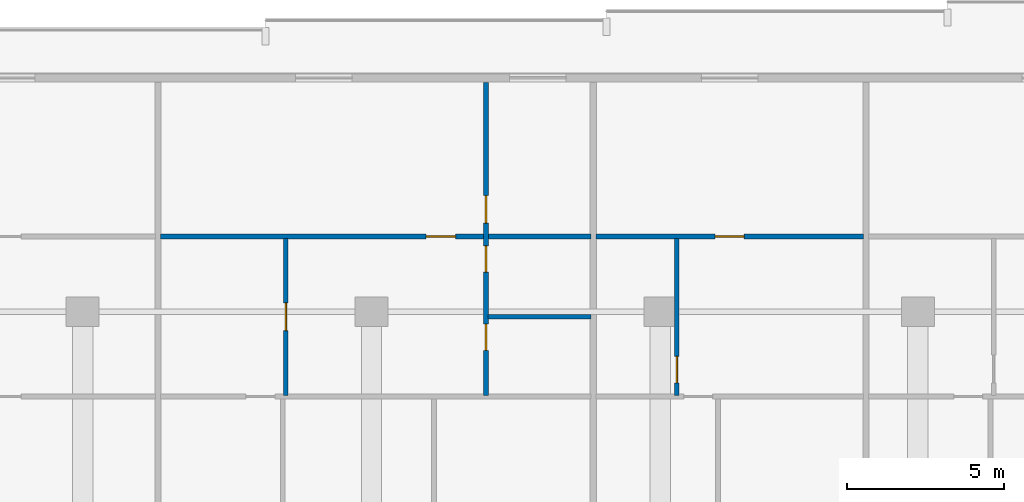
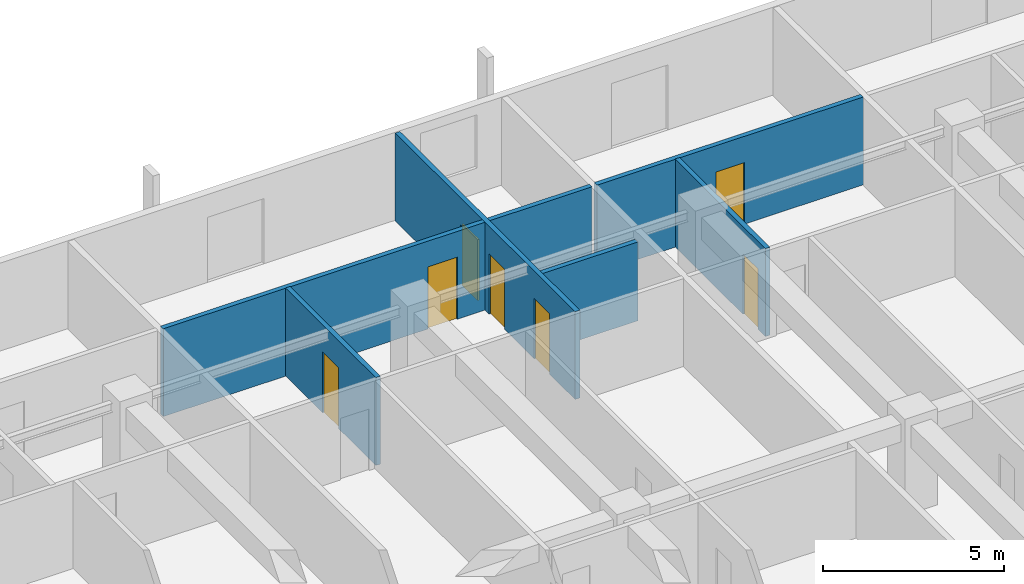
# One storey, part 16 of 24: 7 doors, 6 walls, 7 openings.
"""IFC4 building model written with IfcOpenShell, lengths in metres."""

from ifc_helpers import new_model, si_unit, direction, frame, frame_2d, origin, place, context, subcontext, project, spatial, rectangle, extrude, material, layer, layer_set, type_object, element, fill, save


model = new_model("IFC4")

# Units and contexts
model_context = context("Model", 3, precision=1e-05, world=origin(), true_north=direction((0.0, 1.0)))
body_context = subcontext(model_context, "Body", "Model", "MODEL_VIEW")
ifc_project = project(units=[si_unit("LENGTHUNIT", "METRE"), si_unit("AREAUNIT", "SQUARE_METRE"), si_unit("VOLUMEUNIT", "CUBIC_METRE"), si_unit("PLANEANGLEUNIT", "RADIAN"), si_unit("MASSUNIT", "GRAM", prefix="KILO")], contexts=[model_context])

# Site, building, storey
site_placement = place(None, origin())
site = spatial("IfcSite", under=ifc_project, at=site_placement, CompositionType="ELEMENT")
building_placement = place(site_placement, origin())
building = spatial("IfcBuilding", under=site, at=building_placement, Name="Korimba Cascade Residences", CompositionType="ELEMENT")
storey_placement = place(building_placement, frame((0.0, 0.0, 63.0)))
storey = spatial("IfcBuildingStorey", under=building, at=storey_placement, Name="L17", CompositionType="ELEMENT", Elevation=63.0)

# Wall, opening, door
ifc_material_1 = material(Name="Insulated Acoustic Stud Partition", Category="gypsum")
ifc_layer = layer(ifc_material_1, 0.14990234375)
ifc_layer_set = layer_set([ifc_layer], Name="Insulated Acoustic Stud Partition")
wall_type = type_object("IfcWallType", Name="WAL-PART-150", PredefinedType="PARTITIONING", material=ifc_layer_set)
wall_1_placement = place(storey_placement, frame((100.173095703125, 88.5400390625, 0.0), z_axis=(0.0, 0.0, 1.0), x_axis=(0.0, 1.0, 0.0)))
wall_1 = element("IfcWall", 1, at=wall_1_placement, inside=storey, type_object=wall_type, Name="L17 Partition Wall WAL-L17-T1-U04-VDIN", PredefinedType="PARTITIONING", context=body_context, shape_type="SweptSolid", body=[
    extrude(rectangle(XDim=5.0, YDim=0.14990234375, at=frame_2d((2.5, 0.0))), origin(), (0.0, 0.0, 1.0), 2.969970703125),
])
opening_1_placement = place(wall_1_placement, frame((2.06005859375, 0.0, 0.0)))
opening_1 = element("IfcOpeningElement", 2, at=opening_1_placement, cuts=wall_1, Name="Opening D-IN2", PredefinedType="OPENING", context=body_context, shape_type="SweptSolid", body=[
    extrude(rectangle(XDim=0.8798828125, YDim=2.06005859375, at=frame_2d((0.43994140625, 1.030029296875))), frame((0.0, 0.0849609375, 0.0), z_axis=(0.0, -1.0, 0.0), x_axis=(1.0, 0.0, 0.0)), (0.0, 0.0, 1.0), 0.169921875),
])
ifc_material_2 = material(Name="Acoustic Timber Bedroom Door", Category="wood")
door_type_1 = type_object("IfcDoorType", Name="DR-INT-880", OperationType="NOTDEFINED", PredefinedType="DOOR", material=ifc_material_2)
door_1_placement = place(opening_1_placement, origin())
door_1 = element("IfcDoor", 3, at=door_1_placement, inside=storey, type_object=door_type_1, Name="L17-T1-U04 Dining Room Door", OperationType="SINGLE_SWING_RIGHT", OverallHeight=2.06005859375, OverallWidth=0.8798828125, PredefinedType="DOOR", context=body_context, shape_type="SweptSolid", body=[
    extrude(rectangle(XDim=0.8798828125, YDim=2.06005859375, at=frame_2d((0.43994140625, 1.030029296875))), frame((0.0, 0.02490234375, 0.0), z_axis=(0.0, -1.0, 0.0), x_axis=(1.0, 0.0, 0.0)), (0.0, 0.0, 1.0), 0.050048828125),
])
fill(opening_1, door_1)

# Wall
wall_2_placement = place(storey_placement, frame((106.60546875, 91.0400390625, 0.0), z_axis=(0.0, 0.0, 1.0), x_axis=(1.0, 0.0, 0.0)))
element("IfcWall", 4, at=wall_2_placement, inside=storey, type_object=wall_type, Name="L17 Partition Wall WAL-L17-T1-U04-BLDIV", PredefinedType="PARTITIONING", context=body_context, shape_type="SweptSolid", body=[
    extrude(rectangle(XDim=3.280029296875, YDim=0.14990234375, at=frame_2d((1.64013671875, 0.0))), origin(), (0.0, 0.0, 1.0), 2.663330078125),
])

# Wall, openings, doors
wall_3_placement = place(storey_placement, frame((106.54541015625, 88.5400390625, 0.0), z_axis=(0.0, 0.0, 1.0), x_axis=(0.0, 1.0, 0.0)))
wall_3 = element("IfcWall", 5, at=wall_3_placement, inside=storey, type_object=wall_type, Name="L17 Partition Wall WAL-L17-T1-U04-V1", PredefinedType="PARTITIONING", context=body_context, shape_type="SweptSolid", body=[
    extrude(rectangle(XDim=9.9599609375, YDim=0.14990234375, at=frame_2d((4.97998046875, 0.0))), origin(), (0.0, 0.0, 1.0), 2.969970703125),
])
opening_2_placement = place(wall_3_placement, frame((1.430419921875, 0.0, 0.0)))
opening_2 = element("IfcOpeningElement", 6, at=opening_2_placement, cuts=wall_3, Name="Opening D-BT1", PredefinedType="OPENING", context=body_context, shape_type="SweptSolid", body=[
    extrude(rectangle(XDim=0.840087890625, YDim=2.0400390625, at=frame_2d((0.419921875, 1.02001953125))), frame((0.0, 0.0849609375, 0.0), z_axis=(0.0, -1.0, 0.0), x_axis=(1.0, 0.0, 0.0)), (0.0, 0.0, 1.0), 0.169921875),
])
opening_3_placement = place(wall_3_placement, frame((3.919921875, 0.0, 0.0)))
opening_3 = element("IfcOpeningElement", 7, at=opening_3_placement, cuts=wall_3, Name="Opening D-BT1", PredefinedType="OPENING", context=body_context, shape_type="SweptSolid", body=[
    extrude(rectangle(XDim=0.840087890625, YDim=2.0400390625, at=frame_2d((0.419921875, 1.02001953125))), frame((0.0, 0.0849609375, 0.0), z_axis=(0.0, -1.0, 0.0), x_axis=(1.0, 0.0, 0.0)), (0.0, 0.0, 1.0), 0.169921875),
])
opening_4_placement = place(wall_3_placement, frame((5.47998046875, 0.0, 0.0)))
opening_4 = element("IfcOpeningElement", 8, at=opening_4_placement, cuts=wall_3, Name="Opening D-IN2", PredefinedType="OPENING", context=body_context, shape_type="SweptSolid", body=[
    extrude(rectangle(XDim=0.8798828125, YDim=2.06005859375, at=frame_2d((0.43994140625, 1.030029296875))), frame((0.0, 0.0849609375, 0.0), z_axis=(0.0, -1.0, 0.0), x_axis=(1.0, 0.0, 0.0)), (0.0, 0.0, 1.0), 0.169921875),
])
ifc_material_3 = material(Name="Moisture-Resistant Bathroom Timber Door", Category="wood")
door_type_2 = type_object("IfcDoorType", Name="DR-INT-850", OperationType="NOTDEFINED", PredefinedType="DOOR", material=ifc_material_3)
door_2_placement = place(opening_2_placement, origin())
door_2 = element("IfcDoor", 9, at=door_2_placement, inside=storey, type_object=door_type_2, Name="L17-T1-U04 Bathroom Door", OperationType="SINGLE_SWING_LEFT", OverallHeight=2.0400390625, OverallWidth=0.840087890625, PredefinedType="DOOR", context=body_context, shape_type="SweptSolid", body=[
    extrude(rectangle(XDim=0.840087890625, YDim=2.0400390625, at=frame_2d((0.419921875, 1.02001953125))), frame((0.0, 0.02490234375, 0.0), z_axis=(0.0, -1.0, 0.0), x_axis=(1.0, 0.0, 0.0)), (0.0, 0.0, 1.0), 0.050048828125),
])
fill(opening_2, door_2)
door_3_placement = place(opening_3_placement, origin())
door_3 = element("IfcDoor", 10, at=door_3_placement, inside=storey, type_object=door_type_2, Name="L17-T1-U04 Laundry Door", OperationType="SINGLE_SWING_RIGHT", OverallHeight=2.0400390625, OverallWidth=0.840087890625, PredefinedType="DOOR", context=body_context, shape_type="SweptSolid", body=[
    extrude(rectangle(XDim=0.840087890625, YDim=2.0400390625, at=frame_2d((0.419921875, 1.02001953125))), frame((0.0, 0.02490234375, 0.0), z_axis=(0.0, -1.0, 0.0), x_axis=(1.0, 0.0, 0.0)), (0.0, 0.0, 1.0), 0.050048828125),
])
fill(opening_3, door_3)
door_4_placement = place(opening_4_placement, origin())
door_4 = element("IfcDoor", 11, at=door_4_placement, inside=storey, type_object=door_type_1, Name="L17-T1-U04 Bedroom 1 Door", OperationType="SINGLE_SWING_LEFT", OverallHeight=2.06005859375, OverallWidth=0.8798828125, PredefinedType="DOOR", context=body_context, shape_type="SweptSolid", body=[
    extrude(rectangle(XDim=0.8798828125, YDim=2.06005859375, at=frame_2d((0.43994140625, 1.030029296875))), frame((0.0, 0.02490234375, 0.0), z_axis=(0.0, -1.0, 0.0), x_axis=(1.0, 0.0, 0.0)), (0.0, 0.0, 1.0), 0.050048828125),
])
fill(opening_4, door_4)

# Wall, opening, door
wall_4_placement = place(storey_placement, frame((96.18310546875, 93.60009765625, 0.0), z_axis=(0.0, 0.0, 1.0), x_axis=(1.0, 0.0, 0.0)))
wall_4 = element("IfcWall", 12, at=wall_4_placement, inside=storey, type_object=wall_type, Name="L17 Partition Wall WAL-L17-T1-U04-HZ", PredefinedType="PARTITIONING", context=body_context, shape_type="SweptSolid", body=[
    extrude(rectangle(XDim=13.702392578125, YDim=0.14990234375, at=frame_2d((6.85107421875, 0.0))), origin(), (0.0, 0.0, 1.0), 2.969970703125),
])
opening_5_placement = place(wall_4_placement, frame((8.45849609375, 0.0, 0.0)))
opening_5 = element("IfcOpeningElement", 13, at=opening_5_placement, cuts=wall_4, Name="Opening D-IN0", PredefinedType="OPENING", context=body_context, shape_type="SweptSolid", body=[
    extrude(rectangle(XDim=0.93994140625, YDim=2.10009765625, at=frame_2d((0.469970703125, 1.050048828125))), frame((0.0, 0.0849609375, 0.0), z_axis=(0.0, -1.0, 0.0), x_axis=(1.0, 0.0, 0.0)), (0.0, 0.0, 1.0), 0.169921875),
])
ifc_material_4 = material(Name="Acoustic Timber Living Archway Door", Category="wood")
door_type_3 = type_object("IfcDoorType", Name="DR-INT-950", OperationType="NOTDEFINED", PredefinedType="DOOR", material=ifc_material_4)
door_5_placement = place(opening_5_placement, origin())
door_5 = element("IfcDoor", 14, at=door_5_placement, inside=storey, type_object=door_type_3, Name="L17-T1-U04 Living Archway Door", OperationType="SINGLE_SWING_LEFT", OverallHeight=2.10009765625, OverallWidth=0.93994140625, PredefinedType="DOOR", context=body_context, shape_type="SweptSolid", body=[
    extrude(rectangle(XDim=0.93994140625, YDim=2.10009765625, at=frame_2d((0.469970703125, 1.050048828125))), frame((0.0, 0.02490234375, 0.0), z_axis=(0.0, -1.0, 0.0), x_axis=(1.0, 0.0, 0.0)), (0.0, 0.0, 1.0), 0.050048828125),
])
fill(opening_5, door_5)

wall_5_placement = place(storey_placement, frame((112.62548828125, 88.5400390625, 0.0), z_axis=(0.0, 0.0, 1.0), x_axis=(0.0, 1.0, 0.0)))
wall_5 = element("IfcWall", 15, at=wall_5_placement, inside=storey, type_object=wall_type, Name="L17 Partition Wall WAL-L17-T1-U05-BM", PredefinedType="PARTITIONING", context=body_context, shape_type="SweptSolid", body=[
    extrude(rectangle(XDim=5.0, YDim=0.14990234375, at=frame_2d((2.5, 0.0))), origin(), (0.0, 0.0, 1.0), 2.969970703125),
])
opening_6_placement = place(wall_5_placement, frame((0.39990234375, 0.0, 0.0)))
opening_6 = element("IfcOpeningElement", 16, at=opening_6_placement, cuts=wall_5, Name="Opening D-BT1", PredefinedType="OPENING", context=body_context, shape_type="SweptSolid", body=[
    extrude(rectangle(XDim=0.840087890625, YDim=2.0400390625, at=frame_2d((0.419921875, 1.02001953125))), frame((0.0, 0.0849609375, 0.0), z_axis=(0.0, -1.0, 0.0), x_axis=(1.0, 0.0, 0.0)), (0.0, 0.0, 1.0), 0.169921875),
])
door_6_placement = place(opening_6_placement, origin())
door_6 = element("IfcDoor", 17, at=door_6_placement, inside=storey, type_object=door_type_2, Name="L17-T1-U05 Bathroom Door", OperationType="SINGLE_SWING_RIGHT", OverallHeight=2.0400390625, OverallWidth=0.840087890625, PredefinedType="DOOR", context=body_context, shape_type="SweptSolid", body=[
    extrude(rectangle(XDim=0.840087890625, YDim=2.0400390625, at=frame_2d((0.419921875, 1.02001953125))), frame((0.0, 0.02490234375, 0.0), z_axis=(0.0, -1.0, 0.0), x_axis=(1.0, 0.0, 0.0)), (0.0, 0.0, 1.0), 0.050048828125),
])
fill(opening_6, door_6)

wall_6_placement = place(storey_placement, frame((110.04541015625, 93.60009765625, 0.0), z_axis=(0.0, 0.0, 1.0), x_axis=(1.0, 0.0, 0.0)))
wall_6 = element("IfcWall", 18, at=wall_6_placement, inside=storey, type_object=wall_type, Name="L17 Partition Wall WAL-L17-T1-U05-HZ", PredefinedType="PARTITIONING", context=body_context, shape_type="SweptSolid", body=[
    extrude(rectangle(XDim=8.520263671875, YDim=0.14990234375, at=frame_2d((4.26025390625, 0.0))), origin(), (0.0, 0.0, 1.0), 2.969970703125),
])
opening_7_placement = place(wall_6_placement, frame((3.800048828125, 0.0, 0.0)))
opening_7 = element("IfcOpeningElement", 19, at=opening_7_placement, cuts=wall_6, Name="Opening D-IN1", PredefinedType="OPENING", context=body_context, shape_type="SweptSolid", body=[
    extrude(rectangle(XDim=0.919921875, YDim=2.080078125, at=frame_2d((0.4599609375, 1.0400390625))), frame((0.0, 0.0849609375, 0.0), z_axis=(0.0, -1.0, 0.0), x_axis=(1.0, 0.0, 0.0)), (0.0, 0.0, 1.0), 0.169921875),
])
ifc_material_5 = material(Name="Acoustic Timber Living Door", Category="wood")
door_type_4 = type_object("IfcDoorType", Name="DR-INT-920", OperationType="NOTDEFINED", PredefinedType="DOOR", material=ifc_material_5)
door_7_placement = place(opening_7_placement, origin())
door_7 = element("IfcDoor", 20, at=door_7_placement, inside=storey, type_object=door_type_4, Name="L17-T1-U05 Studio Door", OperationType="SINGLE_SWING_RIGHT", OverallHeight=2.080078125, OverallWidth=0.919921875, PredefinedType="DOOR", context=body_context, shape_type="SweptSolid", body=[
    extrude(rectangle(XDim=0.919921875, YDim=2.080078125, at=frame_2d((0.4599609375, 1.0400390625))), frame((0.0, 0.02490234375, 0.0), z_axis=(0.0, -1.0, 0.0), x_axis=(1.0, 0.0, 0.0)), (0.0, 0.0, 1.0), 0.050048828125),
])
fill(opening_7, door_7)

save(model, "model.ifc")
